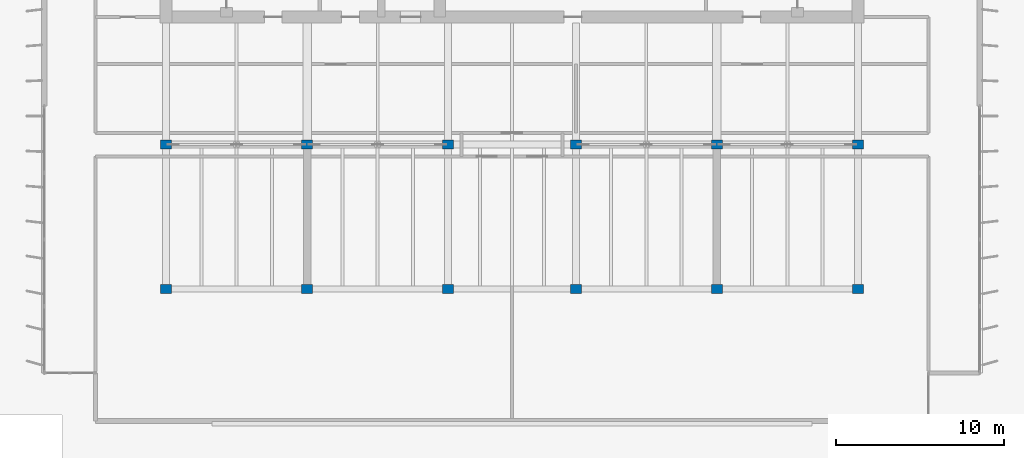
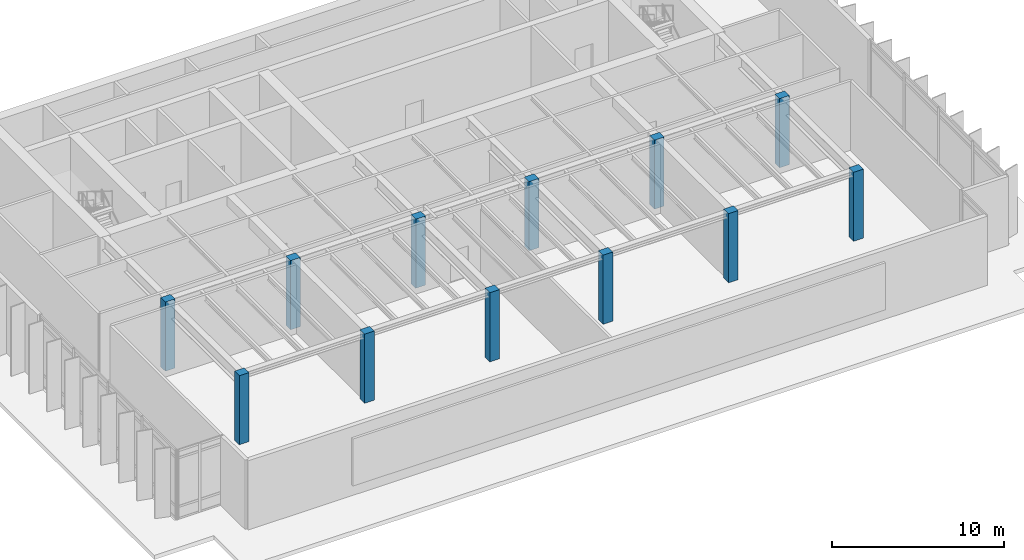
# One storey, part 1 of 12: 12 columns.
"""IFC4 building model written with IfcOpenShell, lengths in metres."""

from ifc_helpers import new_model, si_unit, direction, frame, origin, origin_2d, place, context, subcontext, project, spatial, rectangle, extrude, material, material_profile, profile_set, type_object, element, save


model = new_model("IFC4")

# Units and contexts
model_context = context("Model", 3, precision=1e-05, world=origin(), true_north=direction((0.0, 1.0)))
body_context = subcontext(model_context, "Body", "Model", "MODEL_VIEW")
ifc_project = project(units=[si_unit("LENGTHUNIT", "METRE"), si_unit("AREAUNIT", "SQUARE_METRE"), si_unit("VOLUMEUNIT", "CUBIC_METRE"), si_unit("PLANEANGLEUNIT", "RADIAN"), si_unit("MASSUNIT", "GRAM", prefix="KILO")], contexts=[model_context])

# Site, building, storey
site_placement = place(None, origin())
site = spatial("IfcSite", under=ifc_project, at=site_placement, CompositionType="ELEMENT")
building_placement = place(site_placement, origin())
building = spatial("IfcBuilding", under=site, at=building_placement, Name="Caelmar Bay Residences", CompositionType="ELEMENT")
storey_placement = place(building_placement, frame((0.0, 0.0, 274.199951171875)))
storey = spatial("IfcBuildingStorey", under=building, at=storey_placement, Name="L77", CompositionType="ELEMENT", Elevation=274.199951171875)

# Columns
ifc_material = material(Name="Concrete f'c 55 MPa (8,000 psi)", Category="concrete")
ifc_material_profile = material_profile(ifc_material, rectangle(XDim=0.64990234375, YDim=0.550048828125, at=origin_2d()), Name="RC-COL-650X550")
ifc_profile_set = profile_set([ifc_material_profile], Name="Concrete f'c 55 MPa (8,000 psi)")
column_type = type_object("IfcColumnType", Name="COL-RC-650X550", PredefinedType="COLUMN", material=ifc_profile_set)
for number, where, z_axis, x_axis, name in (
    (1, (18.300048828125, 20.800048828125, 0.0), (0.0, 0.0, 1.0), (1.0, 0.0, 0.0), "L77 Column (18.30,20.80)"),
    (2, (26.699951171875, 20.800048828125, 0.0), (0.0, 0.0, 1.0), (1.0, 0.0, 0.0), "L77 Column (26.70,20.80)"),
    (3, (35.10009765625, 20.800048828125, 0.0), (0.0, 0.0, 1.0), (1.0, 0.0, 0.0), "L77 Column (35.10,20.80)"),
    (4, (42.699951171875, 20.800048828125, 0.0), (0.0, 0.0, 1.0), (1.0, 0.0, 0.0), "L77 Column (42.70,20.80)"),
    (5, (51.10009765625, 20.800048828125, 0.0), (0.0, 0.0, 1.0), (1.0, 0.0, 0.0), "L77 Column (51.10,20.80)"),
    (6, (59.5, 20.800048828125, 0.0), (0.0, 0.0, 1.0), (1.0, 0.0, 0.0), "L77 Column (59.50,20.80)"),
    (7, (18.300048828125, 29.39990234375, 0.0), (0.0, 0.0, 1.0), (1.0, 0.0, 0.0), "L77 Column (18.30,29.40)"),
    (8, (26.699951171875, 29.39990234375, 0.0), (0.0, 0.0, 1.0), (1.0, 0.0, 0.0), "L77 Column (26.70,29.40)"),
    (9, (35.10009765625, 29.39990234375, 0.0), (0.0, 0.0, 1.0), (1.0, 0.0, 0.0), "L77 Column (35.10,29.40)"),
    (10, (42.699951171875, 29.39990234375, 0.0), (0.0, 0.0, 1.0), (1.0, 0.0, 0.0), "L77 Column (42.70,29.40)"),
    (11, (51.10009765625, 29.39990234375, 0.0), (0.0, 0.0, 1.0), (1.0, 0.0, 0.0), "L77 Column (51.10,29.40)"),
    (12, (59.5, 29.39990234375, 0.0), (0.0, 0.0, 1.0), (1.0, 0.0, 0.0), "L77 Column (59.50,29.40)"),
):
    element("IfcColumn", number, at=place(storey_placement, frame(where, z_axis=z_axis, x_axis=x_axis)), inside=storey, type_object=column_type, Name=name, PredefinedType="COLUMN", context=body_context, shape_type="SweptSolid", body=[
        extrude(rectangle(XDim=0.64990234375, YDim=0.550048828125, at=origin_2d()), origin(), (0.0, 0.0, 1.0), 4.900146484375),
    ])

save(model, "model.ifc")
